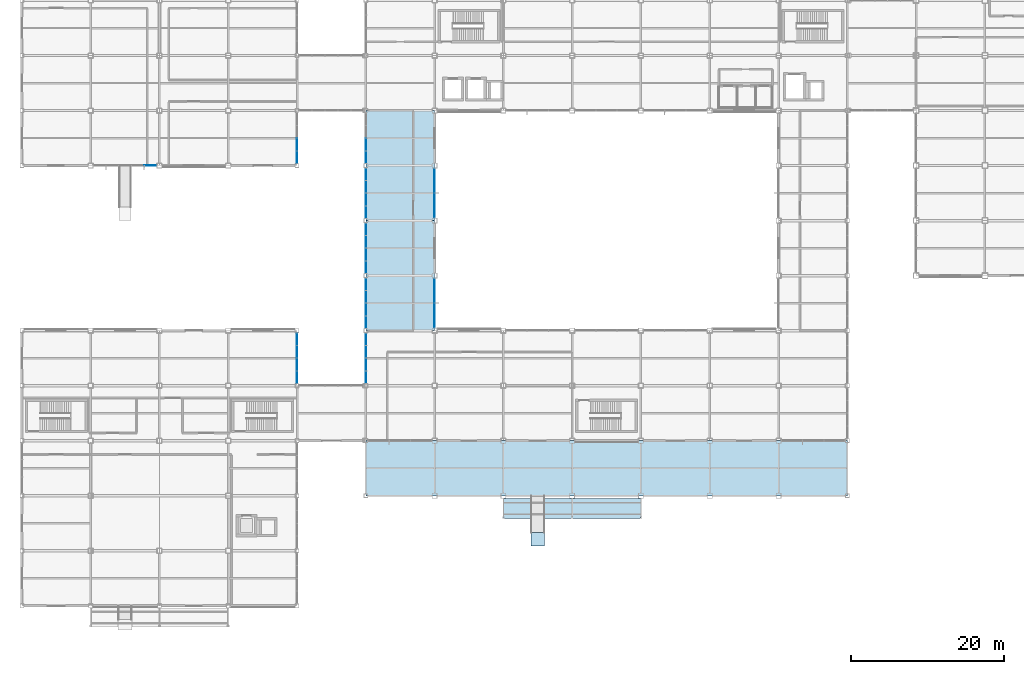
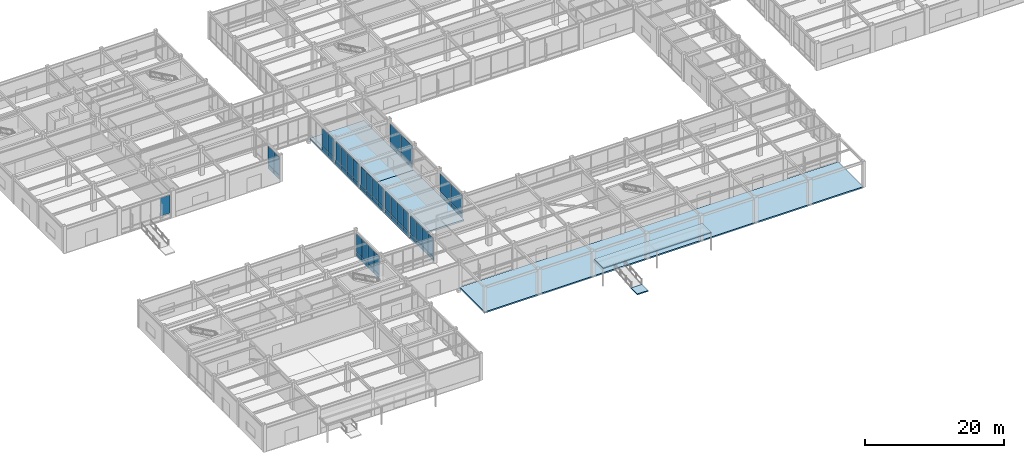
# One storey, part 80 of 112: 57 plates, 5 slabs, 11 elements without a shape of their own.
"""IFC4 building model written with IfcOpenShell, lengths in metres."""

from ifc_helpers import new_model, si_unit, direction, frame, origin, origin_2d, place, context, subcontext, project, spatial, polyline, rectangle, outline, extrude, material, layer, layer_set, type_object, element, aggregate, save


model = new_model("IFC4")

# Units and contexts
model_context = context("Model", 3, precision=1e-05, world=origin(), true_north=direction((0.0, 1.0)))
body_context = subcontext(model_context, "Body", "Model", "MODEL_VIEW")
ifc_project = project(units=[si_unit("LENGTHUNIT", "METRE"), si_unit("AREAUNIT", "SQUARE_METRE"), si_unit("VOLUMEUNIT", "CUBIC_METRE"), si_unit("PLANEANGLEUNIT", "RADIAN"), si_unit("MASSUNIT", "GRAM", prefix="KILO")], contexts=[model_context])

# Site, building, storey
site_placement = place(None, origin())
site = spatial("IfcSite", under=ifc_project, at=site_placement, CompositionType="ELEMENT")
building_placement = place(site_placement, origin())
building = spatial("IfcBuilding", under=site, at=building_placement, Name="Kazanami Central Library", CompositionType="ELEMENT")
storey_placement = place(building_placement, origin())
storey = spatial("IfcBuildingStorey", under=building, at=storey_placement, Name="L01", CompositionType="ELEMENT", Elevation=0.0)

# Curtain wall, plate
ifc_material_1 = material(Name="Acid-Etched Low-E Laminated Glass", Category="glass")
curtain_wall_type_1 = type_object("IfcCurtainWallType", Name="CW-8350x4055-M180", PredefinedType="USERDEFINED", material=ifc_material_1)
curtain_wall_1_placement = place(storey_placement, origin())
curtain_wall_1 = element("IfcCurtainWall", 1, at=curtain_wall_1_placement, inside=storey, type_object=curtain_wall_type_1, Name="Unitised Curtain Wall CW-05 L01 S-J-01", ObjectType="UNITISED CURTAIN WALL", PredefinedType="USERDEFINED")
ifc_layer_1 = layer(ifc_material_1, 0.0439453125, Name="Acid-Etched Low-E Laminated Glass")
ifc_layer_set_1 = layer_set([ifc_layer_1], Name="Acid-Etched Low-E Laminated Glass")
plate_type_1 = type_object("IfcPlateType", Name="PLT-CW-P2", PredefinedType="CURTAIN_PANEL", material=ifc_layer_set_1)
plate_1_placement = place(storey_placement, frame((16.824951171875, 57.60009765625, 0.81005859375), z_axis=(0.0, 0.0, 1.0), x_axis=(1.0, 0.0, 0.0)))
plate_1 = element("IfcPlate", 2, at=plate_1_placement, type_object=plate_type_1, Name="CW-05 panel 5.2", PredefinedType="CURTAIN_PANEL", context=body_context, shape_type="SweptSolid", body=[
    extrude(rectangle(XDim=1.580078125, YDim=0.0439453125, at=origin_2d()), origin(), (0.0, 0.0, 1.0), 3.18505859375),
])
aggregate(curtain_wall_1, [plate_1])

# Curtain wall, plates
curtain_wall_type_2 = type_object("IfcCurtainWallType", Name="CW-6550x4055-M275", PredefinedType="USERDEFINED", material=ifc_material_1)
curtain_wall_2_placement = place(storey_placement, origin())
curtain_wall_2 = element("IfcCurtainWall", 3, at=curtain_wall_2_placement, inside=storey, type_object=curtain_wall_type_2, Name="Unitised Curtain Wall CW-10 L01 E-7-05", ObjectType="UNITISED CURTAIN WALL", PredefinedType="USERDEFINED")
plate_2_placement = place(storey_placement, frame((54.0, 41.219970703125, 0.81494140625), z_axis=(0.0, 0.0, 1.0), x_axis=(0.0, -1.0, 0.0)))
plate_2 = element("IfcPlate", 4, at=plate_2_placement, type_object=plate_type_1, Name="CW-10 panel 1.2", PredefinedType="CURTAIN_PANEL", context=body_context, shape_type="SweptSolid", body=[
    extrude(rectangle(XDim=3.169921875, YDim=0.0439453125, at=origin_2d()), origin(), (0.0, 0.0, 1.0), 3.169921875),
])
plate_3_placement = place(storey_placement, frame((54.0, 37.97998046875, 0.81494140625), z_axis=(0.0, 0.0, 1.0), x_axis=(0.0, -1.0, 0.0)))
plate_3 = element("IfcPlate", 5, at=plate_3_placement, type_object=plate_type_1, Name="CW-10 panel 2.2", PredefinedType="CURTAIN_PANEL", context=body_context, shape_type="SweptSolid", body=[
    extrude(rectangle(XDim=3.169921875, YDim=0.0439453125, at=origin_2d()), origin(), (0.0, 0.0, 1.0), 3.169921875),
])

curtain_wall_3_placement = place(storey_placement, origin())
curtain_wall_3 = element("IfcCurtainWall", 6, at=curtain_wall_3_placement, inside=storey, type_object=curtain_wall_type_2, Name="Unitised Curtain Wall CW-10 L01 E-7-07", ObjectType="UNITISED CURTAIN WALL", PredefinedType="USERDEFINED")
plate_4_placement = place(storey_placement, frame((54.0, 55.6201171875, 0.81494140625), z_axis=(0.0, 0.0, 1.0), x_axis=(0.0, -1.0, 0.0)))
plate_4 = element("IfcPlate", 7, at=plate_4_placement, type_object=plate_type_1, Name="CW-10 panel 1.2", PredefinedType="CURTAIN_PANEL", context=body_context, shape_type="SweptSolid", body=[
    extrude(rectangle(XDim=3.169921875, YDim=0.0439453125, at=origin_2d()), origin(), (0.0, 0.0, 1.0), 3.169921875),
])
plate_5_placement = place(storey_placement, frame((54.0, 52.3798828125, 0.81494140625), z_axis=(0.0, 0.0, 1.0), x_axis=(0.0, -1.0, 0.0)))
plate_5 = element("IfcPlate", 8, at=plate_5_placement, type_object=plate_type_1, Name="CW-10 panel 2.2", PredefinedType="CURTAIN_PANEL", context=body_context, shape_type="SweptSolid", body=[
    extrude(rectangle(XDim=3.169921875, YDim=0.0439453125, at=origin_2d()), origin(), (0.0, 0.0, 1.0), 3.169921875),
])

curtain_wall_type_3 = type_object("IfcCurtainWallType", Name="CW-6700x4055-M180", PredefinedType="USERDEFINED", material=ifc_material_1)
curtain_wall_4_placement = place(storey_placement, origin())
curtain_wall_4 = element("IfcCurtainWall", 9, at=curtain_wall_4_placement, inside=storey, type_object=curtain_wall_type_3, Name="Covered Link Bridge Curtain Wall CW-09 L01 E-5-04", ObjectType="UNITISED CURTAIN WALL", PredefinedType="USERDEFINED")
ifc_material_2 = material(Name="Low-E Insulated Triple Glass", Category="glass")
ifc_layer_2 = layer(ifc_material_2, 0.0400390625, Name="Low-E Insulated Triple Glass")
ifc_layer_set_2 = layer_set([ifc_layer_2], Name="Low-E Insulated Triple Glass")
plate_type_2 = type_object("IfcPlateType", Name="PLT-CW-P3", PredefinedType="CURTAIN_PANEL", material=ifc_layer_set_2)
plate_6_placement = place(storey_placement, frame((36.0, 34.8974609375, 0.81005859375), z_axis=(0.0, 0.0, 1.0), x_axis=(0.0, -1.0, 0.0)))
plate_6 = element("IfcPlate", 10, at=plate_6_placement, type_object=plate_type_2, Name="CW-09 panel 1.2", PredefinedType="CURTAIN_PANEL", context=body_context, shape_type="SweptSolid", body=[
    extrude(rectangle(XDim=1.5849609375, YDim=0.0400390625, at=origin_2d()), origin(), (0.0, 0.0, 1.0), 3.18505859375),
])
plate_7_placement = place(storey_placement, frame((36.0, 33.237548828125, 0.81005859375), z_axis=(0.0, 0.0, 1.0), x_axis=(0.0, -1.0, 0.0)))
plate_7 = element("IfcPlate", 11, at=plate_7_placement, type_object=plate_type_2, Name="CW-09 panel 2.2", PredefinedType="CURTAIN_PANEL", context=body_context, shape_type="SweptSolid", body=[
    extrude(rectangle(XDim=1.614990234375, YDim=0.0400390625, at=origin_2d()), origin(), (0.0, 0.0, 1.0), 3.18505859375),
])
plate_8_placement = place(storey_placement, frame((36.0, 31.5625, 0.81005859375), z_axis=(0.0, 0.0, 1.0), x_axis=(0.0, -1.0, 0.0)))
plate_8 = element("IfcPlate", 12, at=plate_8_placement, type_object=plate_type_2, Name="CW-09 panel 3.2", PredefinedType="CURTAIN_PANEL", context=body_context, shape_type="SweptSolid", body=[
    extrude(rectangle(XDim=1.614990234375, YDim=0.0400390625, at=origin_2d()), origin(), (0.0, 0.0, 1.0), 3.18505859375),
])
plate_9_placement = place(storey_placement, frame((36.0, 29.902587890625, 0.81005859375), z_axis=(0.0, 0.0, 1.0), x_axis=(0.0, -1.0, 0.0)))
plate_9 = element("IfcPlate", 13, at=plate_9_placement, type_object=plate_type_2, Name="CW-09 panel 4.2", PredefinedType="CURTAIN_PANEL", context=body_context, shape_type="SweptSolid", body=[
    extrude(rectangle(XDim=1.5849609375, YDim=0.0400390625, at=origin_2d()), origin(), (0.0, 0.0, 1.0), 3.18505859375),
])

curtain_wall_5_placement = place(storey_placement, origin())
curtain_wall_5 = element("IfcCurtainWall", 14, at=curtain_wall_5_placement, inside=storey, type_object=curtain_wall_type_3, Name="Covered Link Bridge Curtain Wall CW-09 L01 E-5-08", ObjectType="UNITISED CURTAIN WALL", PredefinedType="USERDEFINED")
plate_10_placement = place(storey_placement, frame((36.0, 60.362548828125, 0.81005859375), z_axis=(0.0, 0.0, 1.0), x_axis=(0.0, -1.0, 0.0)))
plate_10 = element("IfcPlate", 15, at=plate_10_placement, type_object=plate_type_2, Name="CW-09 panel 3.2", PredefinedType="CURTAIN_PANEL", context=body_context, shape_type="SweptSolid", body=[
    extrude(rectangle(XDim=1.614990234375, YDim=0.0400390625, at=origin_2d()), origin(), (0.0, 0.0, 1.0), 3.18505859375),
])
plate_11_placement = place(storey_placement, frame((36.0, 58.702392578125, 0.81005859375), z_axis=(0.0, 0.0, 1.0), x_axis=(0.0, -1.0, 0.0)))
plate_11 = element("IfcPlate", 16, at=plate_11_placement, type_object=plate_type_2, Name="CW-09 panel 4.2", PredefinedType="CURTAIN_PANEL", context=body_context, shape_type="SweptSolid", body=[
    extrude(rectangle(XDim=1.5849609375, YDim=0.0400390625, at=origin_2d()), origin(), (0.0, 0.0, 1.0), 3.18505859375),
])

curtain_wall_6_placement = place(storey_placement, origin())
curtain_wall_6 = element("IfcCurtainWall", 17, at=curtain_wall_6_placement, inside=storey, type_object=curtain_wall_type_3, Name="Covered Link Bridge Curtain Wall CW-09 L01 W-6-04", ObjectType="UNITISED CURTAIN WALL", PredefinedType="USERDEFINED")
plate_12_placement = place(storey_placement, frame((45.0, 29.905029296875, 0.81494140625), z_axis=(0.0, 0.0, 1.0), x_axis=(0.0, 1.0, 0.0)))
plate_12 = element("IfcPlate", 18, at=plate_12_placement, type_object=plate_type_2, Name="CW-09 panel 1.2", PredefinedType="CURTAIN_PANEL", context=body_context, shape_type="SweptSolid", body=[
    extrude(rectangle(XDim=1.570068359375, YDim=0.0400390625, at=origin_2d()), origin(), (0.0, 0.0, 1.0), 3.169921875),
])
plate_13_placement = place(storey_placement, frame((45.0, 31.5625, 0.81494140625), z_axis=(0.0, 0.0, 1.0), x_axis=(0.0, 1.0, 0.0)))
plate_13 = element("IfcPlate", 19, at=plate_13_placement, type_object=plate_type_2, Name="CW-09 panel 2.2", PredefinedType="CURTAIN_PANEL", context=body_context, shape_type="SweptSolid", body=[
    extrude(rectangle(XDim=1.60498046875, YDim=0.0400390625, at=origin_2d()), origin(), (0.0, 0.0, 1.0), 3.169921875),
])
plate_14_placement = place(storey_placement, frame((45.0, 33.237548828125, 0.81494140625), z_axis=(0.0, 0.0, 1.0), x_axis=(0.0, 1.0, 0.0)))
plate_14 = element("IfcPlate", 20, at=plate_14_placement, type_object=plate_type_2, Name="CW-09 panel 3.2", PredefinedType="CURTAIN_PANEL", context=body_context, shape_type="SweptSolid", body=[
    extrude(rectangle(XDim=1.60498046875, YDim=0.0400390625, at=origin_2d()), origin(), (0.0, 0.0, 1.0), 3.169921875),
])
plate_15_placement = place(storey_placement, frame((45.0, 34.89501953125, 0.81494140625), z_axis=(0.0, 0.0, 1.0), x_axis=(0.0, 1.0, 0.0)))
plate_15 = element("IfcPlate", 21, at=plate_15_placement, type_object=plate_type_2, Name="CW-09 panel 4.2", PredefinedType="CURTAIN_PANEL", context=body_context, shape_type="SweptSolid", body=[
    extrude(rectangle(XDim=1.570068359375, YDim=0.0400390625, at=origin_2d()), origin(), (0.0, 0.0, 1.0), 3.169921875),
])

curtain_wall_7_placement = place(storey_placement, origin())
curtain_wall_7 = element("IfcCurtainWall", 22, at=curtain_wall_7_placement, inside=storey, type_object=curtain_wall_type_3, Name="Covered Link Bridge Curtain Wall CW-09 L01 W-6-05", ObjectType="UNITISED CURTAIN WALL", PredefinedType="USERDEFINED")
plate_16_placement = place(storey_placement, frame((45.0, 37.10498046875, 0.81494140625), z_axis=(0.0, 0.0, 1.0), x_axis=(0.0, 1.0, 0.0)))
plate_16 = element("IfcPlate", 23, at=plate_16_placement, type_object=plate_type_2, Name="CW-09 panel 1.2", PredefinedType="CURTAIN_PANEL", context=body_context, shape_type="SweptSolid", body=[
    extrude(rectangle(XDim=1.570068359375, YDim=0.0400390625, at=origin_2d()), origin(), (0.0, 0.0, 1.0), 3.169921875),
])
plate_17_placement = place(storey_placement, frame((45.0, 38.762451171875, 0.81494140625), z_axis=(0.0, 0.0, 1.0), x_axis=(0.0, 1.0, 0.0)))
plate_17 = element("IfcPlate", 24, at=plate_17_placement, type_object=plate_type_2, Name="CW-09 panel 2.2", PredefinedType="CURTAIN_PANEL", context=body_context, shape_type="SweptSolid", body=[
    extrude(rectangle(XDim=1.60498046875, YDim=0.0400390625, at=origin_2d()), origin(), (0.0, 0.0, 1.0), 3.169921875),
])
plate_18_placement = place(storey_placement, frame((45.0, 40.4375, 0.81494140625), z_axis=(0.0, 0.0, 1.0), x_axis=(0.0, 1.0, 0.0)))
plate_18 = element("IfcPlate", 25, at=plate_18_placement, type_object=plate_type_2, Name="CW-09 panel 3.2", PredefinedType="CURTAIN_PANEL", context=body_context, shape_type="SweptSolid", body=[
    extrude(rectangle(XDim=1.60498046875, YDim=0.0400390625, at=origin_2d()), origin(), (0.0, 0.0, 1.0), 3.169921875),
])
plate_19_placement = place(storey_placement, frame((45.0, 42.094970703125, 0.81494140625), z_axis=(0.0, 0.0, 1.0), x_axis=(0.0, 1.0, 0.0)))
plate_19 = element("IfcPlate", 26, at=plate_19_placement, type_object=plate_type_2, Name="CW-09 panel 4.2", PredefinedType="CURTAIN_PANEL", context=body_context, shape_type="SweptSolid", body=[
    extrude(rectangle(XDim=1.570068359375, YDim=0.0400390625, at=origin_2d()), origin(), (0.0, 0.0, 1.0), 3.169921875),
])

curtain_wall_8_placement = place(storey_placement, origin())
curtain_wall_8 = element("IfcCurtainWall", 27, at=curtain_wall_8_placement, inside=storey, type_object=curtain_wall_type_3, Name="Covered Link Bridge Curtain Wall CW-09 L01 W-6-06", ObjectType="UNITISED CURTAIN WALL", PredefinedType="USERDEFINED")
plate_20_placement = place(storey_placement, frame((45.0, 44.304931640625, 0.81494140625), z_axis=(0.0, 0.0, 1.0), x_axis=(0.0, 1.0, 0.0)))
plate_20 = element("IfcPlate", 28, at=plate_20_placement, type_object=plate_type_2, Name="CW-09 panel 1.2", PredefinedType="CURTAIN_PANEL", context=body_context, shape_type="SweptSolid", body=[
    extrude(rectangle(XDim=1.570068359375, YDim=0.0400390625, at=origin_2d()), origin(), (0.0, 0.0, 1.0), 3.169921875),
])
plate_21_placement = place(storey_placement, frame((45.0, 45.96240234375, 0.81494140625), z_axis=(0.0, 0.0, 1.0), x_axis=(0.0, 1.0, 0.0)))
plate_21 = element("IfcPlate", 29, at=plate_21_placement, type_object=plate_type_2, Name="CW-09 panel 2.2", PredefinedType="CURTAIN_PANEL", context=body_context, shape_type="SweptSolid", body=[
    extrude(rectangle(XDim=1.60498046875, YDim=0.0400390625, at=origin_2d()), origin(), (0.0, 0.0, 1.0), 3.169921875),
])
plate_22_placement = place(storey_placement, frame((45.0, 47.637451171875, 0.81494140625), z_axis=(0.0, 0.0, 1.0), x_axis=(0.0, 1.0, 0.0)))
plate_22 = element("IfcPlate", 30, at=plate_22_placement, type_object=plate_type_2, Name="CW-09 panel 3.2", PredefinedType="CURTAIN_PANEL", context=body_context, shape_type="SweptSolid", body=[
    extrude(rectangle(XDim=1.60498046875, YDim=0.0400390625, at=origin_2d()), origin(), (0.0, 0.0, 1.0), 3.169921875),
])
plate_23_placement = place(storey_placement, frame((45.0, 49.294921875, 0.81494140625), z_axis=(0.0, 0.0, 1.0), x_axis=(0.0, 1.0, 0.0)))
plate_23 = element("IfcPlate", 31, at=plate_23_placement, type_object=plate_type_2, Name="CW-09 panel 4.2", PredefinedType="CURTAIN_PANEL", context=body_context, shape_type="SweptSolid", body=[
    extrude(rectangle(XDim=1.570068359375, YDim=0.0400390625, at=origin_2d()), origin(), (0.0, 0.0, 1.0), 3.169921875),
])

curtain_wall_9_placement = place(storey_placement, origin())
curtain_wall_9 = element("IfcCurtainWall", 32, at=curtain_wall_9_placement, inside=storey, type_object=curtain_wall_type_3, Name="Covered Link Bridge Curtain Wall CW-09 L01 W-6-07", ObjectType="UNITISED CURTAIN WALL", PredefinedType="USERDEFINED")
plate_24_placement = place(storey_placement, frame((45.0, 51.5048828125, 0.81494140625), z_axis=(0.0, 0.0, 1.0), x_axis=(0.0, 1.0, 0.0)))
plate_24 = element("IfcPlate", 33, at=plate_24_placement, type_object=plate_type_2, Name="CW-09 panel 1.2", PredefinedType="CURTAIN_PANEL", context=body_context, shape_type="SweptSolid", body=[
    extrude(rectangle(XDim=1.570068359375, YDim=0.0400390625, at=origin_2d()), origin(), (0.0, 0.0, 1.0), 3.169921875),
])
plate_25_placement = place(storey_placement, frame((45.0, 53.16259765625, 0.81494140625), z_axis=(0.0, 0.0, 1.0), x_axis=(0.0, 1.0, 0.0)))
plate_25 = element("IfcPlate", 34, at=plate_25_placement, type_object=plate_type_2, Name="CW-09 panel 2.2", PredefinedType="CURTAIN_PANEL", context=body_context, shape_type="SweptSolid", body=[
    extrude(rectangle(XDim=1.60498046875, YDim=0.0400390625, at=origin_2d()), origin(), (0.0, 0.0, 1.0), 3.169921875),
])
plate_26_placement = place(storey_placement, frame((45.0, 54.83740234375, 0.81494140625), z_axis=(0.0, 0.0, 1.0), x_axis=(0.0, 1.0, 0.0)))
plate_26 = element("IfcPlate", 35, at=plate_26_placement, type_object=plate_type_2, Name="CW-09 panel 3.2", PredefinedType="CURTAIN_PANEL", context=body_context, shape_type="SweptSolid", body=[
    extrude(rectangle(XDim=1.60498046875, YDim=0.0400390625, at=origin_2d()), origin(), (0.0, 0.0, 1.0), 3.169921875),
])
plate_27_placement = place(storey_placement, frame((45.0, 56.4951171875, 0.81494140625), z_axis=(0.0, 0.0, 1.0), x_axis=(0.0, 1.0, 0.0)))
plate_27 = element("IfcPlate", 36, at=plate_27_placement, type_object=plate_type_2, Name="CW-09 panel 4.2", PredefinedType="CURTAIN_PANEL", context=body_context, shape_type="SweptSolid", body=[
    extrude(rectangle(XDim=1.570068359375, YDim=0.0400390625, at=origin_2d()), origin(), (0.0, 0.0, 1.0), 3.169921875),
])

curtain_wall_10_placement = place(storey_placement, origin())
curtain_wall_10 = element("IfcCurtainWall", 37, at=curtain_wall_10_placement, inside=storey, type_object=curtain_wall_type_3, Name="Covered Link Bridge Curtain Wall CW-09 L01 W-6-08", ObjectType="UNITISED CURTAIN WALL", PredefinedType="USERDEFINED")
plate_28_placement = place(storey_placement, frame((45.0, 58.705078125, 0.81494140625), z_axis=(0.0, 0.0, 1.0), x_axis=(0.0, 1.0, 0.0)))
plate_28 = element("IfcPlate", 38, at=plate_28_placement, type_object=plate_type_2, Name="CW-09 panel 1.2", PredefinedType="CURTAIN_PANEL", context=body_context, shape_type="SweptSolid", body=[
    extrude(rectangle(XDim=1.570068359375, YDim=0.0400390625, at=origin_2d()), origin(), (0.0, 0.0, 1.0), 3.169921875),
])
plate_29_placement = place(storey_placement, frame((45.0, 60.362548828125, 0.81494140625), z_axis=(0.0, 0.0, 1.0), x_axis=(0.0, 1.0, 0.0)))
plate_29 = element("IfcPlate", 39, at=plate_29_placement, type_object=plate_type_2, Name="CW-09 panel 2.2", PredefinedType="CURTAIN_PANEL", context=body_context, shape_type="SweptSolid", body=[
    extrude(rectangle(XDim=1.60498046875, YDim=0.0400390625, at=origin_2d()), origin(), (0.0, 0.0, 1.0), 3.169921875),
])

# Plate
ifc_material_3 = material(Name="Anodised Aluminium A5052-H32", Category="aluminium")
ifc_layer_3 = layer(ifc_material_3, 0.06005859375, Name="Anodised Aluminium A5052-H32")
ifc_layer_set_3 = layer_set([ifc_layer_3], Name="Anodised Aluminium A5052-H32")
plate_type_3 = type_object("IfcPlateType", Name="PLT-CW-SP1", PredefinedType="CURTAIN_PANEL", material=ifc_layer_set_3)
plate_30_placement = place(storey_placement, frame((45.0, 29.905029296875, 0.06982421875), z_axis=(0.0, 0.0, 1.0), x_axis=(0.0, 1.0, 0.0)))
plate_30 = element("IfcPlate", 40, at=plate_30_placement, type_object=plate_type_3, Name="CW-09 panel 1.1", PredefinedType="CURTAIN_PANEL", context=body_context, shape_type="SweptSolid", body=[
    extrude(rectangle(XDim=1.570068359375, YDim=0.06005859375, at=origin_2d()), origin(), (0.0, 0.0, 1.0), 0.675048828125),
])

plate_31_placement = place(storey_placement, frame((45.0, 31.5625, 0.06982421875), z_axis=(0.0, 0.0, 1.0), x_axis=(0.0, 1.0, 0.0)))
plate_31 = element("IfcPlate", 41, at=plate_31_placement, type_object=plate_type_3, Name="CW-09 panel 2.1", PredefinedType="CURTAIN_PANEL", context=body_context, shape_type="SweptSolid", body=[
    extrude(rectangle(XDim=1.60498046875, YDim=0.06005859375, at=origin_2d()), origin(), (0.0, 0.0, 1.0), 0.675048828125),
])

plate_32_placement = place(storey_placement, frame((45.0, 33.237548828125, 0.06982421875), z_axis=(0.0, 0.0, 1.0), x_axis=(0.0, 1.0, 0.0)))
plate_32 = element("IfcPlate", 42, at=plate_32_placement, type_object=plate_type_3, Name="CW-09 panel 3.1", PredefinedType="CURTAIN_PANEL", context=body_context, shape_type="SweptSolid", body=[
    extrude(rectangle(XDim=1.60498046875, YDim=0.06005859375, at=origin_2d()), origin(), (0.0, 0.0, 1.0), 0.675048828125),
])

plate_33_placement = place(storey_placement, frame((45.0, 34.89501953125, 0.06982421875), z_axis=(0.0, 0.0, 1.0), x_axis=(0.0, 1.0, 0.0)))
plate_33 = element("IfcPlate", 43, at=plate_33_placement, type_object=plate_type_3, Name="CW-09 panel 4.1", PredefinedType="CURTAIN_PANEL", context=body_context, shape_type="SweptSolid", body=[
    extrude(rectangle(XDim=1.570068359375, YDim=0.06005859375, at=origin_2d()), origin(), (0.0, 0.0, 1.0), 0.675048828125),
])

aggregate(curtain_wall_6, [plate_30, plate_12, plate_31, plate_13, plate_32, plate_14, plate_33, plate_15])

plate_34_placement = place(storey_placement, frame((45.0, 37.10498046875, 0.06982421875), z_axis=(0.0, 0.0, 1.0), x_axis=(0.0, 1.0, 0.0)))
plate_34 = element("IfcPlate", 44, at=plate_34_placement, type_object=plate_type_3, Name="CW-09 panel 1.1", PredefinedType="CURTAIN_PANEL", context=body_context, shape_type="SweptSolid", body=[
    extrude(rectangle(XDim=1.570068359375, YDim=0.06005859375, at=origin_2d()), origin(), (0.0, 0.0, 1.0), 0.675048828125),
])

plate_35_placement = place(storey_placement, frame((45.0, 38.762451171875, 0.06982421875), z_axis=(0.0, 0.0, 1.0), x_axis=(0.0, 1.0, 0.0)))
plate_35 = element("IfcPlate", 45, at=plate_35_placement, type_object=plate_type_3, Name="CW-09 panel 2.1", PredefinedType="CURTAIN_PANEL", context=body_context, shape_type="SweptSolid", body=[
    extrude(rectangle(XDim=1.60498046875, YDim=0.06005859375, at=origin_2d()), origin(), (0.0, 0.0, 1.0), 0.675048828125),
])

plate_36_placement = place(storey_placement, frame((45.0, 40.4375, 0.06982421875), z_axis=(0.0, 0.0, 1.0), x_axis=(0.0, 1.0, 0.0)))
plate_36 = element("IfcPlate", 46, at=plate_36_placement, type_object=plate_type_3, Name="CW-09 panel 3.1", PredefinedType="CURTAIN_PANEL", context=body_context, shape_type="SweptSolid", body=[
    extrude(rectangle(XDim=1.60498046875, YDim=0.06005859375, at=origin_2d()), origin(), (0.0, 0.0, 1.0), 0.675048828125),
])

plate_37_placement = place(storey_placement, frame((45.0, 42.094970703125, 0.06982421875), z_axis=(0.0, 0.0, 1.0), x_axis=(0.0, 1.0, 0.0)))
plate_37 = element("IfcPlate", 47, at=plate_37_placement, type_object=plate_type_3, Name="CW-09 panel 4.1", PredefinedType="CURTAIN_PANEL", context=body_context, shape_type="SweptSolid", body=[
    extrude(rectangle(XDim=1.570068359375, YDim=0.06005859375, at=origin_2d()), origin(), (0.0, 0.0, 1.0), 0.675048828125),
])

aggregate(curtain_wall_7, [plate_34, plate_16, plate_35, plate_17, plate_36, plate_18, plate_37, plate_19])

plate_38_placement = place(storey_placement, frame((45.0, 44.304931640625, 0.06982421875), z_axis=(0.0, 0.0, 1.0), x_axis=(0.0, 1.0, 0.0)))
plate_38 = element("IfcPlate", 48, at=plate_38_placement, type_object=plate_type_3, Name="CW-09 panel 1.1", PredefinedType="CURTAIN_PANEL", context=body_context, shape_type="SweptSolid", body=[
    extrude(rectangle(XDim=1.570068359375, YDim=0.06005859375, at=origin_2d()), origin(), (0.0, 0.0, 1.0), 0.675048828125),
])

plate_39_placement = place(storey_placement, frame((45.0, 45.96240234375, 0.06982421875), z_axis=(0.0, 0.0, 1.0), x_axis=(0.0, 1.0, 0.0)))
plate_39 = element("IfcPlate", 49, at=plate_39_placement, type_object=plate_type_3, Name="CW-09 panel 2.1", PredefinedType="CURTAIN_PANEL", context=body_context, shape_type="SweptSolid", body=[
    extrude(rectangle(XDim=1.60498046875, YDim=0.06005859375, at=origin_2d()), origin(), (0.0, 0.0, 1.0), 0.675048828125),
])

plate_40_placement = place(storey_placement, frame((45.0, 47.637451171875, 0.06982421875), z_axis=(0.0, 0.0, 1.0), x_axis=(0.0, 1.0, 0.0)))
plate_40 = element("IfcPlate", 50, at=plate_40_placement, type_object=plate_type_3, Name="CW-09 panel 3.1", PredefinedType="CURTAIN_PANEL", context=body_context, shape_type="SweptSolid", body=[
    extrude(rectangle(XDim=1.60498046875, YDim=0.06005859375, at=origin_2d()), origin(), (0.0, 0.0, 1.0), 0.675048828125),
])

plate_41_placement = place(storey_placement, frame((45.0, 49.294921875, 0.06982421875), z_axis=(0.0, 0.0, 1.0), x_axis=(0.0, 1.0, 0.0)))
plate_41 = element("IfcPlate", 51, at=plate_41_placement, type_object=plate_type_3, Name="CW-09 panel 4.1", PredefinedType="CURTAIN_PANEL", context=body_context, shape_type="SweptSolid", body=[
    extrude(rectangle(XDim=1.570068359375, YDim=0.06005859375, at=origin_2d()), origin(), (0.0, 0.0, 1.0), 0.675048828125),
])

aggregate(curtain_wall_8, [plate_38, plate_20, plate_39, plate_21, plate_40, plate_22, plate_41, plate_23])

plate_42_placement = place(storey_placement, frame((45.0, 51.5048828125, 0.06982421875), z_axis=(0.0, 0.0, 1.0), x_axis=(0.0, 1.0, 0.0)))
plate_42 = element("IfcPlate", 52, at=plate_42_placement, type_object=plate_type_3, Name="CW-09 panel 1.1", PredefinedType="CURTAIN_PANEL", context=body_context, shape_type="SweptSolid", body=[
    extrude(rectangle(XDim=1.570068359375, YDim=0.06005859375, at=origin_2d()), origin(), (0.0, 0.0, 1.0), 0.675048828125),
])

plate_43_placement = place(storey_placement, frame((45.0, 53.16259765625, 0.06982421875), z_axis=(0.0, 0.0, 1.0), x_axis=(0.0, 1.0, 0.0)))
plate_43 = element("IfcPlate", 53, at=plate_43_placement, type_object=plate_type_3, Name="CW-09 panel 2.1", PredefinedType="CURTAIN_PANEL", context=body_context, shape_type="SweptSolid", body=[
    extrude(rectangle(XDim=1.60498046875, YDim=0.06005859375, at=origin_2d()), origin(), (0.0, 0.0, 1.0), 0.675048828125),
])

plate_44_placement = place(storey_placement, frame((45.0, 54.83740234375, 0.06982421875), z_axis=(0.0, 0.0, 1.0), x_axis=(0.0, 1.0, 0.0)))
plate_44 = element("IfcPlate", 54, at=plate_44_placement, type_object=plate_type_3, Name="CW-09 panel 3.1", PredefinedType="CURTAIN_PANEL", context=body_context, shape_type="SweptSolid", body=[
    extrude(rectangle(XDim=1.60498046875, YDim=0.06005859375, at=origin_2d()), origin(), (0.0, 0.0, 1.0), 0.675048828125),
])

plate_45_placement = place(storey_placement, frame((45.0, 56.4951171875, 0.06982421875), z_axis=(0.0, 0.0, 1.0), x_axis=(0.0, 1.0, 0.0)))
plate_45 = element("IfcPlate", 55, at=plate_45_placement, type_object=plate_type_3, Name="CW-09 panel 4.1", PredefinedType="CURTAIN_PANEL", context=body_context, shape_type="SweptSolid", body=[
    extrude(rectangle(XDim=1.570068359375, YDim=0.06005859375, at=origin_2d()), origin(), (0.0, 0.0, 1.0), 0.675048828125),
])

aggregate(curtain_wall_9, [plate_42, plate_24, plate_43, plate_25, plate_44, plate_26, plate_45, plate_27])

plate_46_placement = place(storey_placement, frame((45.0, 58.705078125, 0.06982421875), z_axis=(0.0, 0.0, 1.0), x_axis=(0.0, 1.0, 0.0)))
plate_46 = element("IfcPlate", 56, at=plate_46_placement, type_object=plate_type_3, Name="CW-09 panel 1.1", PredefinedType="CURTAIN_PANEL", context=body_context, shape_type="SweptSolid", body=[
    extrude(rectangle(XDim=1.570068359375, YDim=0.06005859375, at=origin_2d()), origin(), (0.0, 0.0, 1.0), 0.675048828125),
])

plate_47_placement = place(storey_placement, frame((45.0, 60.362548828125, 0.06982421875), z_axis=(0.0, 0.0, 1.0), x_axis=(0.0, 1.0, 0.0)))
plate_47 = element("IfcPlate", 57, at=plate_47_placement, type_object=plate_type_3, Name="CW-09 panel 2.1", PredefinedType="CURTAIN_PANEL", context=body_context, shape_type="SweptSolid", body=[
    extrude(rectangle(XDim=1.60498046875, YDim=0.06005859375, at=origin_2d()), origin(), (0.0, 0.0, 1.0), 0.675048828125),
])

aggregate(curtain_wall_10, [plate_46, plate_28, plate_47, plate_29])

plate_48_placement = place(storey_placement, frame((54.0, 41.219970703125, 0.06982421875), z_axis=(0.0, 0.0, 1.0), x_axis=(0.0, -1.0, 0.0)))
plate_48 = element("IfcPlate", 58, at=plate_48_placement, type_object=plate_type_3, Name="CW-10 panel 1.1", PredefinedType="CURTAIN_PANEL", context=body_context, shape_type="SweptSolid", body=[
    extrude(rectangle(XDim=3.169921875, YDim=0.06005859375, at=origin_2d()), origin(), (0.0, 0.0, 1.0), 0.675048828125),
])

plate_49_placement = place(storey_placement, frame((54.0, 37.97998046875, 0.06982421875), z_axis=(0.0, 0.0, 1.0), x_axis=(0.0, -1.0, 0.0)))
plate_49 = element("IfcPlate", 59, at=plate_49_placement, type_object=plate_type_3, Name="CW-10 panel 2.1", PredefinedType="CURTAIN_PANEL", context=body_context, shape_type="SweptSolid", body=[
    extrude(rectangle(XDim=3.169921875, YDim=0.06005859375, at=origin_2d()), origin(), (0.0, 0.0, 1.0), 0.675048828125),
])

aggregate(curtain_wall_2, [plate_48, plate_2, plate_49, plate_3])

plate_50_placement = place(storey_placement, frame((54.0, 55.6201171875, 0.06982421875), z_axis=(0.0, 0.0, 1.0), x_axis=(0.0, -1.0, 0.0)))
plate_50 = element("IfcPlate", 60, at=plate_50_placement, type_object=plate_type_3, Name="CW-10 panel 1.1", PredefinedType="CURTAIN_PANEL", context=body_context, shape_type="SweptSolid", body=[
    extrude(rectangle(XDim=3.169921875, YDim=0.06005859375, at=origin_2d()), origin(), (0.0, 0.0, 1.0), 0.675048828125),
])

plate_51_placement = place(storey_placement, frame((54.0, 52.3798828125, 0.06982421875), z_axis=(0.0, 0.0, 1.0), x_axis=(0.0, -1.0, 0.0)))
plate_51 = element("IfcPlate", 61, at=plate_51_placement, type_object=plate_type_3, Name="CW-10 panel 2.1", PredefinedType="CURTAIN_PANEL", context=body_context, shape_type="SweptSolid", body=[
    extrude(rectangle(XDim=3.169921875, YDim=0.06005859375, at=origin_2d()), origin(), (0.0, 0.0, 1.0), 0.675048828125),
])

aggregate(curtain_wall_3, [plate_50, plate_4, plate_51, plate_5])

ifc_layer_4 = layer(ifc_material_3, 0.052001953125, Name="Anodised Aluminium A5052-H32")
ifc_layer_set_4 = layer_set([ifc_layer_4], Name="Anodised Aluminium A5052-H32")
plate_type_4 = type_object("IfcPlateType", Name="PLT-CW-SP2", PredefinedType="CURTAIN_PANEL", material=ifc_layer_set_4)
plate_52_placement = place(storey_placement, frame((36.0, 34.8974609375, 0.06005859375), z_axis=(0.0, 0.0, 1.0), x_axis=(0.0, -1.0, 0.0)))
plate_52 = element("IfcPlate", 62, at=plate_52_placement, type_object=plate_type_4, Name="CW-09 panel 1.1", PredefinedType="CURTAIN_PANEL", context=body_context, shape_type="SweptSolid", body=[
    extrude(rectangle(XDim=1.5849609375, YDim=0.052001953125, at=origin_2d()), origin(), (0.0, 0.0, 1.0), 0.68994140625),
])

plate_53_placement = place(storey_placement, frame((36.0, 33.237548828125, 0.06005859375), z_axis=(0.0, 0.0, 1.0), x_axis=(0.0, -1.0, 0.0)))
plate_53 = element("IfcPlate", 63, at=plate_53_placement, type_object=plate_type_4, Name="CW-09 panel 2.1", PredefinedType="CURTAIN_PANEL", context=body_context, shape_type="SweptSolid", body=[
    extrude(rectangle(XDim=1.614990234375, YDim=0.052001953125, at=origin_2d()), origin(), (0.0, 0.0, 1.0), 0.68994140625),
])

plate_54_placement = place(storey_placement, frame((36.0, 31.5625, 0.06005859375), z_axis=(0.0, 0.0, 1.0), x_axis=(0.0, -1.0, 0.0)))
plate_54 = element("IfcPlate", 64, at=plate_54_placement, type_object=plate_type_4, Name="CW-09 panel 3.1", PredefinedType="CURTAIN_PANEL", context=body_context, shape_type="SweptSolid", body=[
    extrude(rectangle(XDim=1.614990234375, YDim=0.052001953125, at=origin_2d()), origin(), (0.0, 0.0, 1.0), 0.68994140625),
])

plate_55_placement = place(storey_placement, frame((36.0, 29.902587890625, 0.06005859375), z_axis=(0.0, 0.0, 1.0), x_axis=(0.0, -1.0, 0.0)))
plate_55 = element("IfcPlate", 65, at=plate_55_placement, type_object=plate_type_4, Name="CW-09 panel 4.1", PredefinedType="CURTAIN_PANEL", context=body_context, shape_type="SweptSolid", body=[
    extrude(rectangle(XDim=1.5849609375, YDim=0.052001953125, at=origin_2d()), origin(), (0.0, 0.0, 1.0), 0.68994140625),
])

aggregate(curtain_wall_4, [plate_52, plate_6, plate_53, plate_7, plate_54, plate_8, plate_55, plate_9])

plate_56_placement = place(storey_placement, frame((36.0, 60.362548828125, 0.06005859375), z_axis=(0.0, 0.0, 1.0), x_axis=(0.0, -1.0, 0.0)))
plate_56 = element("IfcPlate", 66, at=plate_56_placement, type_object=plate_type_4, Name="CW-09 panel 3.1", PredefinedType="CURTAIN_PANEL", context=body_context, shape_type="SweptSolid", body=[
    extrude(rectangle(XDim=1.614990234375, YDim=0.052001953125, at=origin_2d()), origin(), (0.0, 0.0, 1.0), 0.68994140625),
])

plate_57_placement = place(storey_placement, frame((36.0, 58.702392578125, 0.06005859375), z_axis=(0.0, 0.0, 1.0), x_axis=(0.0, -1.0, 0.0)))
plate_57 = element("IfcPlate", 67, at=plate_57_placement, type_object=plate_type_4, Name="CW-09 panel 4.1", PredefinedType="CURTAIN_PANEL", context=body_context, shape_type="SweptSolid", body=[
    extrude(rectangle(XDim=1.5849609375, YDim=0.052001953125, at=origin_2d()), origin(), (0.0, 0.0, 1.0), 0.68994140625),
])

aggregate(curtain_wall_5, [plate_56, plate_10, plate_57, plate_11])

# Slabs
ifc_material_4 = material(Name="Concrete Fc36 (36 MPa)", Category="concrete")
ifc_layer_5 = layer(ifc_material_4, 0.27490234375, Name="Concrete Fc36 (36 MPa)")
ifc_layer_set_5 = layer_set([ifc_layer_5], Name="Concrete Fc36 (36 MPa)")
slab_type_1 = type_object("IfcSlabType", Name="SLB-FLR-275", PredefinedType="FLOOR", material=ifc_layer_set_5)
slab_1_placement = place(storey_placement, frame((0.0, 0.0, -0.27490234375)))
element("IfcSlab", 68, at=slab_1_placement, inside=storey, type_object=slab_type_1, Name="Composite Floor Slab L01 V1-WEST Zone 16", PredefinedType="FLOOR", context=body_context, shape_type="SweptSolid", body=[
    extrude(outline(polyline([(45.0, 36.0), (54.0, 36.0), (54.0, 50.39990234375), (45.0, 50.39990234375), (45.0, 36.0)])), origin(), (0.0, 0.0, 1.0), 0.27490234375),
])
slab_2_placement = place(storey_placement, frame((0.0, 0.0, -0.27490234375)))
element("IfcSlab", 69, at=slab_2_placement, inside=storey, type_object=slab_type_1, Name="Composite Floor Slab L01 V1-WEST Zone 17", PredefinedType="FLOOR", context=body_context, shape_type="SweptSolid", body=[
    extrude(outline(polyline([(45.0, 50.39990234375), (54.0, 50.39990234375), (54.0, 64.800048828125), (45.0, 64.800048828125), (45.0, 50.39990234375)])), origin(), (0.0, 0.0, 1.0), 0.27490234375),
])

# Ramp, slab
ramp_type = type_object("IfcRampType", Name="RMP-RMP-02", PredefinedType="STRAIGHT_RUN_RAMP", material=ifc_material_4)
ramp_placement = place(storey_placement, origin())
ramp = element("IfcRamp", 70, at=ramp_placement, inside=storey, type_object=ramp_type, Name="Accessible Promenade Ramp RMP-COLONNADE", PredefinedType="STRAIGHT_RUN_RAMP")
ifc_layer_6 = layer(ifc_material_4, 0.199951171875, Name="Concrete Fc36 (36 MPa)")
ifc_layer_set_6 = layer_set([ifc_layer_6], Name="Concrete Fc36 (36 MPa)")
slab_type_2 = type_object("IfcSlabType", Name="SLB-LND-200", PredefinedType="LANDING", material=ifc_layer_set_6)
slab_3_placement = place(storey_placement, frame((0.0, 0.0, -0.60009765625)))
slab_3 = element("IfcSlab", 71, at=slab_3_placement, type_object=slab_type_2, Name="Accessible Promenade Ramp RMP-COLONNADE landing 1", PredefinedType="LANDING", context=body_context, shape_type="SweptSolid", body=[
    extrude(outline(polyline([(66.60009765625, 7.800048828125), (68.39990234375, 7.800048828125), (68.39990234375, 9.60009765625), (66.60009765625, 9.60009765625), (66.60009765625, 7.800048828125)])), origin(), (0.0, 0.0, 1.0), 0.2001953125),
])
aggregate(ramp, [slab_3])

# Slabs
ifc_layer_7 = layer(ifc_material_4, 0.175048828125, Name="Concrete Fc36 (36 MPa)")
ifc_layer_set_7 = layer_set([ifc_layer_7], Name="Concrete Fc36 (36 MPa)")
slab_type_3 = type_object("IfcSlabType", Name="SLB-ROOF-175", PredefinedType="ROOF", material=ifc_layer_set_7)
slab_4_placement = place(storey_placement, frame((0.0, 0.0, 3.050048828125)))
element("IfcSlab", 72, at=slab_4_placement, inside=storey, type_object=slab_type_3, Name="Entrance Canopy Structural Deck CAN-V1-SOUTH", PredefinedType="ROOF", context=body_context, shape_type="SweptSolid", body=[
    extrude(outline(polyline([(63.0, 11.39990234375), (81.0, 11.39990234375), (81.0, 14.050048828125), (63.0, 14.050048828125), (63.0, 11.39990234375)])), origin(), (0.0, 0.0, 1.0), 0.175048828125),
])
ifc_layer_8 = layer(ifc_material_4, 0.239990234375, Name="Concrete Fc36 (36 MPa)")
ifc_layer_set_8 = layer_set([ifc_layer_8], Name="Concrete Fc36 (36 MPa)")
slab_type_4 = type_object("IfcSlabType", Name="SLB-TER-240", PredefinedType="FLOOR", material=ifc_layer_set_8)
slab_5_placement = place(storey_placement, frame((0.0, 0.0, -0.239990234375)))
element("IfcSlab", 73, at=slab_5_placement, inside=storey, type_object=slab_type_4, Name="Waterfront Colonnade Terrace L01", PredefinedType="FLOOR", context=body_context, shape_type="SweptSolid", body=[
    extrude(outline(polyline([(45.0, 14.39990234375), (108.0, 14.39990234375), (108.0, 21.60009765625), (45.0, 21.60009765625), (45.0, 14.39990234375)])), origin(), (0.0, 0.0, 1.0), 0.239990234375),
])

save(model, "model.ifc")
